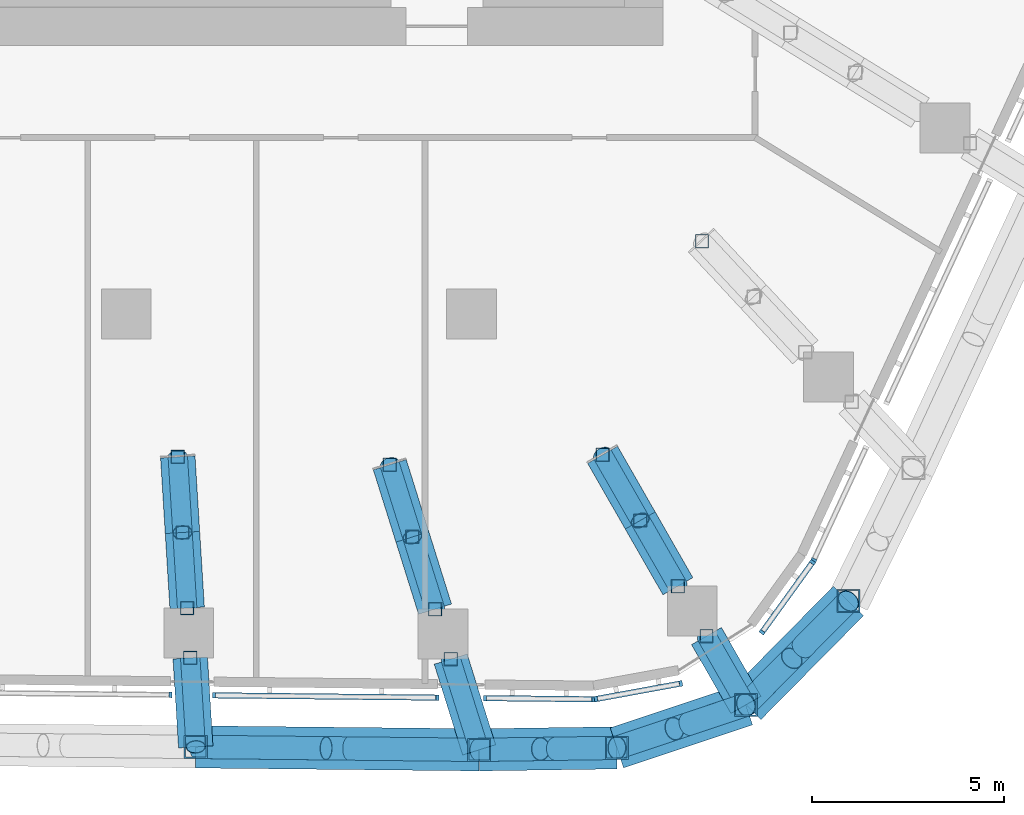
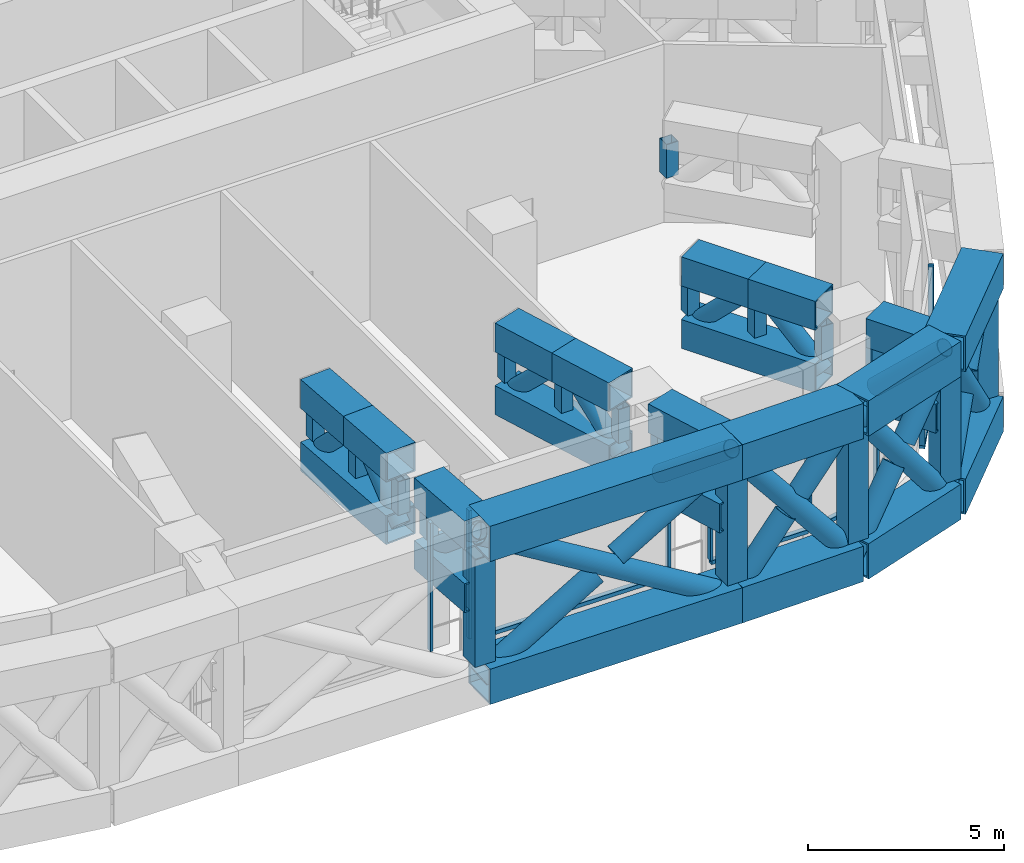
# One storey, part 6 of 30: 76 members, 3 elements without a shape of their own.
"""IFC4 building model written with IfcOpenShell, lengths in metres."""

from ifc_helpers import new_model, si_unit, direction, frame, origin, origin_2d, place, context, subcontext, project, spatial, rectangle, hollow_rectangle, hollow_circle, extrude, material, layer, layer_set, material_profile, profile_set, type_object, element, aggregate, save


model = new_model("IFC4")

# Units and contexts
model_context = context("Model", 3, precision=1e-05, world=origin(), true_north=direction((0.0, 1.0)))
body_context = subcontext(model_context, "Body", "Model", "MODEL_VIEW")
ifc_project = project(units=[si_unit("LENGTHUNIT", "METRE"), si_unit("AREAUNIT", "SQUARE_METRE"), si_unit("VOLUMEUNIT", "CUBIC_METRE"), si_unit("PLANEANGLEUNIT", "RADIAN"), si_unit("MASSUNIT", "GRAM", prefix="KILO")], contexts=[model_context])

# Site, building, storey
site_placement = place(None, origin())
site = spatial("IfcSite", under=ifc_project, at=site_placement, CompositionType="ELEMENT")
building_placement = place(site_placement, origin())
building = spatial("IfcBuilding", under=site, at=building_placement, Name="Dongbaek Canopy Tower", CompositionType="ELEMENT")
storey_placement = place(building_placement, frame((0.0, 0.0, 145.60009765625)))
storey = spatial("IfcBuildingStorey", under=building, at=storey_placement, Name="L32", CompositionType="ELEMENT", Elevation=145.60009765625)

# Members
ifc_material_1 = material(Name="Steel S355", Category="steel")
ifc_material_profile_1 = material_profile(ifc_material_1, hollow_circle(Radius=0.304931640625, WallThickness=0.01611328125, at=origin_2d()), Name="BELT BRACE CHS 610.0x16.0 Steel S355")
ifc_profile_set_1 = profile_set([ifc_material_profile_1], Name="Steel S355")
member_type_1 = type_object("IfcMemberType", Name="BELT BRACE CHS 610.0x16.0 Steel S355", PredefinedType="BRACE", material=ifc_profile_set_1)
member_1_placement = place(storey_placement, frame((18.83447265625, -25.485107421875, 0.5498046875), z_axis=(-0.456619787791, -0.462415619268, 0.760046159424), x_axis=(0.711551950405, -0.702633490431, 0.0)))
element("IfcMember", 1, at=member_1_placement, inside=storey, type_object=member_type_1, Name="BELT:L32:25:D1:0", PredefinedType="BRACE", context=body_context, shape_type="SweptSolid", body=[
    extrude(hollow_circle(Radius=0.304931640625, WallThickness=0.01611328125, at=origin_2d()), origin(), (0.0, 0.0, 1.0), 5.855224609375),
])
for number, where, z_axis, x_axis, name in (
    (2, (16.160888671875, -28.192626953125, 0.5498046875), (0.456614979706, 0.462394916158, 0.760061643434), (-0.711539921164, 0.702645672149, 0.0), "BELT:L32:25:D1:1"),
    (3, (18.83447265625, -25.485107421875, 5.0), (-0.456614979706, -0.462394916158, -0.760061643434), (0.711539921164, -0.702645672149, 0.0), "BELT:L32:25:D1:2"),
):
    element("IfcMember", number, at=place(storey_placement, frame(where, z_axis=z_axis, x_axis=x_axis)), inside=storey, type_object=member_type_1, Name=name, PredefinedType="BRACE", context=body_context, shape_type="SweptSolid", body=[
        extrude(hollow_circle(Radius=0.304931640625, WallThickness=0.01611328125, at=origin_2d()), origin(), (0.0, 0.0, 1.0), 2.618896484375),
    ])
member_2_placement = place(storey_placement, frame((16.160888671875, -28.192626953125, 0.5498046875), z_axis=(-0.591213564896, -0.197142694535, 0.782049409356), x_axis=(0.316331027809, -0.948648871209, 0.0)))
element("IfcMember", 4, at=member_2_placement, inside=storey, type_object=member_type_1, Name="BELT:L32:0:D0:0", PredefinedType="BRACE", context=body_context, shape_type="SweptSolid", body=[
    extrude(hollow_circle(Radius=0.304931640625, WallThickness=0.01611328125, at=origin_2d()), origin(), (0.0, 0.0, 1.0), 5.6904296875),
])
for number, where, z_axis, x_axis, name in (
    (5, (12.796630859375, -29.314453125, 0.5498046875), (0.591180694216, 0.197156640521, 0.782070742251), (-0.316366995029, 0.948636877027, 0.0), "BELT:L32:0:D0:1"),
    (6, (16.160888671875, -28.192626953125, 5.0), (-0.591180694216, -0.197156640521, -0.782070742251), (0.316366995029, -0.948636877027, 0.0), "BELT:L32:0:D0:2"),
):
    element("IfcMember", number, at=place(storey_placement, frame(where, z_axis=z_axis, x_axis=x_axis)), inside=storey, type_object=member_type_1, Name=name, PredefinedType="BRACE", context=body_context, shape_type="SweptSolid", body=[
        extrude(hollow_circle(Radius=0.304931640625, WallThickness=0.01611328125, at=origin_2d()), origin(), (0.0, 0.0, 1.0), 2.5322265625),
    ])
member_3_placement = place(storey_placement, frame((12.796630859375, -29.314453125, 0.5498046875), z_axis=(-0.628139988503, -0.00913440864, 0.778046732158), x_axis=(0.014540457756, -0.999894281956, 0.0)))
element("IfcMember", 7, at=member_3_placement, inside=storey, type_object=member_type_1, Name="BELT:L32:0:D1:0", PredefinedType="BRACE", context=body_context, shape_type="SweptSolid", body=[
    extrude(hollow_circle(Radius=0.304931640625, WallThickness=0.01611328125, at=origin_2d()), origin(), (0.0, 0.0, 1.0), 5.7197265625),
])
for number, where, z_axis, x_axis, name in (
    (8, (9.203857421875, -29.36669921875, 0.5498046875), (0.6281103156, 0.009103048052, 0.778071054565), (-0.014491231835, 0.999894996587, 0.0), "BELT:L32:0:D1:1"),
    (9, (12.796630859375, -29.314453125, 5.0), (-0.6281103156, -0.009103048052, -0.778071054565), (0.014491231835, -0.999894996587, 0.0), "BELT:L32:0:D1:2"),
):
    element("IfcMember", number, at=place(storey_placement, frame(where, z_axis=z_axis, x_axis=x_axis)), inside=storey, type_object=member_type_1, Name=name, PredefinedType="BRACE", context=body_context, shape_type="SweptSolid", body=[
        extrude(hollow_circle(Radius=0.304931640625, WallThickness=0.01611328125, at=origin_2d()), origin(), (0.0, 0.0, 1.0), 2.5478515625),
    ])
member_4_placement = place(storey_placement, frame((9.203857421875, -29.36669921875, 0.5498046875), z_axis=(-0.8566563275, 0.008913776076, 0.515810508957), x_axis=(-0.010404748415, -0.99994586914, 0.0)))
element("IfcMember", 10, at=member_4_placement, inside=storey, type_object=member_type_1, Name="BELT:L32:1:D0:0", PredefinedType="BRACE", context=body_context, shape_type="SweptSolid", body=[
    extrude(hollow_circle(Radius=0.304931640625, WallThickness=0.01611328125, at=origin_2d()), origin(), (0.0, 0.0, 1.0), 8.627685546875),
])
member_5_placement = place(storey_placement, frame((1.81298828125, -29.289794921875, 0.5498046875), z_axis=(0.856643522202, -0.00892016594, 0.515831664895), x_axis=(0.010412361906, 0.99994578989, 0.0)))
element("IfcMember", 11, at=member_5_placement, inside=storey, type_object=member_type_1, Name="BELT:L32:1:D0:1", PredefinedType="BRACE", context=body_context, shape_type="SweptSolid", body=[
    extrude(hollow_circle(Radius=0.304931640625, WallThickness=0.01611328125, at=origin_2d()), origin(), (0.0, 0.0, 1.0), 3.968505859375),
])
member_6_placement = place(storey_placement, frame((9.203857421875, -29.36669921875, 5.0), z_axis=(-0.856659894757, 0.008919695874, -0.515804482087), x_axis=(-0.010411614294, -0.999945797675, 0.0)))
element("IfcMember", 12, at=member_6_placement, inside=storey, type_object=member_type_1, Name="BELT:L32:1:D0:2", PredefinedType="BRACE", context=body_context, shape_type="SweptSolid", body=[
    extrude(hollow_circle(Radius=0.304931640625, WallThickness=0.01611328125, at=origin_2d()), origin(), (0.0, 0.0, 1.0), 3.96875),
])
ifc_material_2 = material(Name="Steel S355", Category="steel")
ifc_material_profile_2 = material_profile(ifc_material_2, hollow_rectangle(XDim=1.10009765625, YDim=1.10009765625, WallThickness=0.054931640625, at=origin_2d()), Name="BELT CHORD BOX 1100x1100x55 Steel S355")
ifc_profile_set_2 = profile_set([ifc_material_profile_2], Name="Steel S355")
member_type_2 = type_object("IfcMemberType", Name="BELT CHORD BOX 1100x1100x55 Steel S355", PredefinedType="CHORD", material=ifc_profile_set_2)
for number, where, z_axis, x_axis, name in (
    (13, (18.83447265625, -25.485107421875, 0.5498046875), (-0.702633490431, -0.711551950405, 0.0), (0.711551950405, -0.702633490431, 0.0), "BELT:L32:25:CB1"),
    (14, (18.83447265625, -25.485107421875, 5.0), (-0.702633490431, -0.711551950405, 0.0), (0.711551950405, -0.702633490431, 0.0), "BELT:L32:25:CT1"),
):
    element("IfcMember", number, at=place(storey_placement, frame(where, z_axis=z_axis, x_axis=x_axis)), inside=storey, type_object=member_type_2, Name=name, PredefinedType="CHORD", context=body_context, shape_type="SweptSolid", body=[
        extrude(hollow_rectangle(XDim=1.10009765625, YDim=1.10009765625, WallThickness=0.054931640625, at=origin_2d()), origin(), (0.0, 0.0, 1.0), 3.80517578125),
    ])
for number, where, z_axis, x_axis, name in (
    (15, (16.160888671875, -28.192626953125, 0.5498046875), (-0.948648871209, -0.316331027809, 0.0), (0.316331027809, -0.948648871209, 0.0), "BELT:L32:0:CB0"),
    (16, (16.160888671875, -28.192626953125, 5.0), (-0.948648871209, -0.316331027809, 0.0), (0.316331027809, -0.948648871209, 0.0), "BELT:L32:0:CT0"),
):
    element("IfcMember", number, at=place(storey_placement, frame(where, z_axis=z_axis, x_axis=x_axis)), inside=storey, type_object=member_type_2, Name=name, PredefinedType="CHORD", context=body_context, shape_type="SweptSolid", body=[
        extrude(hollow_rectangle(XDim=1.10009765625, YDim=1.10009765625, WallThickness=0.054931640625, at=origin_2d()), origin(), (0.0, 0.0, 1.0), 3.54638671875),
    ])
for number, where, z_axis, x_axis, name in (
    (17, (12.796630859375, -29.314453125, 0.5498046875), (-0.999894281956, -0.014540457756, 0.0), (0.014540457756, -0.999894281956, 0.0), "BELT:L32:0:CB1"),
    (18, (12.796630859375, -29.314453125, 5.0), (-0.999894281956, -0.014540457756, 0.0), (0.014540457756, -0.999894281956, 0.0), "BELT:L32:0:CT1"),
):
    element("IfcMember", number, at=place(storey_placement, frame(where, z_axis=z_axis, x_axis=x_axis)), inside=storey, type_object=member_type_2, Name=name, PredefinedType="CHORD", context=body_context, shape_type="SweptSolid", body=[
        extrude(hollow_rectangle(XDim=1.10009765625, YDim=1.10009765625, WallThickness=0.054931640625, at=origin_2d()), origin(), (0.0, 0.0, 1.0), 3.59326171875),
    ])
for number, where, z_axis, x_axis, name in (
    (19, (9.203857421875, -29.36669921875, 0.5498046875), (-0.99994586914, 0.010404748415, 0.0), (-0.010404748415, -0.99994586914, 0.0), "BELT:L32:1:CB0"),
    (20, (9.203857421875, -29.36669921875, 5.0), (-0.99994586914, 0.010404748415, 0.0), (-0.010404748415, -0.99994586914, 0.0), "BELT:L32:1:CT0"),
):
    element("IfcMember", number, at=place(storey_placement, frame(where, z_axis=z_axis, x_axis=x_axis)), inside=storey, type_object=member_type_2, Name=name, PredefinedType="CHORD", context=body_context, shape_type="SweptSolid", body=[
        extrude(hollow_rectangle(XDim=1.10009765625, YDim=1.10009765625, WallThickness=0.054931640625, at=origin_2d()), origin(), (0.0, 0.0, 1.0), 7.391357421875),
    ])
ifc_material_3 = material(Name="Steel S355", Category="steel")
ifc_material_profile_3 = material_profile(ifc_material_3, hollow_rectangle(XDim=0.60009765625, YDim=0.60009765625, WallThickness=0.031982421875, at=origin_2d()), Name="BELT POST BOX 600x600x32 Steel S355")
ifc_profile_set_3 = profile_set([ifc_material_profile_3], Name="Steel S355")
member_type_3 = type_object("IfcMemberType", Name="BELT POST BOX 600x600x32 Steel S355", PredefinedType="POST", material=ifc_profile_set_3)
for number, where, z_axis, x_axis, name in (
    (21, (18.83447265625, -25.485107421875, 1.099853515625), (0.0, 0.0, 1.0), (1.0, 0.0, 0.0), "BELT:L32:25:P1"),
    (22, (16.160888671875, -28.192626953125, 1.099853515625), (0.0, 0.0, 1.0), (1.0, 0.0, 0.0), "BELT:L32:0:P0"),
    (23, (12.796630859375, -29.314453125, 1.099853515625), (0.0, 0.0, 1.0), (1.0, 0.0, 0.0), "BELT:L32:0:P1"),
    (24, (9.203857421875, -29.36669921875, 1.099853515625), (0.0, 0.0, 1.0), (1.0, 0.0, 0.0), "BELT:L32:1:P0"),
    (25, (1.81298828125, -29.289794921875, 1.099853515625), (0.0, 0.0, 1.0), (1.0, 0.0, 0.0), "BELT:L32:2:P0"),
):
    element("IfcMember", number, at=place(storey_placement, frame(where, z_axis=z_axis, x_axis=x_axis)), inside=storey, type_object=member_type_3, Name=name, PredefinedType="POST", context=body_context, shape_type="SweptSolid", body=[
        extrude(hollow_rectangle(XDim=0.60009765625, YDim=0.60009765625, WallThickness=0.031982421875, at=origin_2d()), origin(), (0.0, 0.0, 1.0), 3.35009765625),
    ])
ifc_material_4 = material(Name="Steel S355", Category="steel")
ifc_material_profile_4 = material_profile(ifc_material_4, hollow_circle(Radius=0.25390625, WallThickness=0.01611328125, at=origin_2d()), Name="BRACE CHS 508.0x16.0 Steel S355")
ifc_profile_set_4 = profile_set([ifc_material_profile_4], Name="Steel S355")
member_type_4 = type_object("IfcMemberType", Name="BRACE CHS 508.0x16.0 Steel S355", PredefinedType="BRACE", material=ifc_profile_set_4)
member_7_placement = place(storey_placement, frame((12.423095703125, -21.672119140625, 3.14990234375), z_axis=(0.353891395838, -0.617352676111, 0.702592736406), x_axis=(0.867565276348, 0.497323326695, 0.0)))
element("IfcMember", 26, at=member_7_placement, inside=storey, type_object=member_type_4, Name="TRUSS:L32:0:D0", PredefinedType="BRACE", context=body_context, shape_type="SweptSolid", body=[
    extrude(hollow_circle(Radius=0.25390625, WallThickness=0.01611328125, at=origin_2d()), origin(), (0.0, 0.0, 1.0), 2.775390625),
])
member_8_placement = place(storey_placement, frame((13.4052734375, -23.385498046875, 5.099853515625), z_axis=(0.353872177366, -0.617407112336, -0.702554581312), x_axis=(0.867595846429, 0.497269994328, 0.0)))
element("IfcMember", 27, at=member_8_placement, inside=storey, type_object=member_type_4, Name="TRUSS:L32:0:D1", PredefinedType="BRACE", context=body_context, shape_type="SweptSolid", body=[
    extrude(hollow_circle(Radius=0.25390625, WallThickness=0.01611328125, at=origin_2d()), origin(), (0.0, 0.0, 1.0), 2.775634765625),
])
for number, where, z_axis, x_axis, name in (
    (28, (6.873046875, -21.9296875, 3.14990234375), (0.212781474917, -0.679071098123, 0.702557106309), (0.954250957259, 0.299006873784, 0.0), "TRUSS:L32:1:D0"),
    (29, (7.463623046875, -23.814453125, 5.099853515625), (0.212794185275, -0.679023694146, -0.702599073086), (0.954239904149, 0.29904214641, 0.0), "TRUSS:L32:1:D1"),
    (30, (1.3447265625, -21.7265625, 3.14990234375), (0.043983072878, -0.710238660828, 0.702585606147), (0.998088010153, 0.061808769517, 0.0), "TRUSS:L32:2:D0"),
    (31, (1.466796875, -23.69775390625, 5.099853515625), (0.043983072878, -0.710238660828, -0.702585606147), (0.998088010153, 0.061808769517, 0.0), "TRUSS:L32:2:D1"),
):
    element("IfcMember", number, at=place(storey_placement, frame(where, z_axis=z_axis, x_axis=x_axis)), inside=storey, type_object=member_type_4, Name=name, PredefinedType="BRACE", context=body_context, shape_type="SweptSolid", body=[
        extrude(hollow_circle(Radius=0.25390625, WallThickness=0.01611328125, at=origin_2d()), origin(), (0.0, 0.0, 1.0), 2.775390625),
    ])
member_9_placement = place(storey_placement, frame((15.132568359375, -26.39892578125, 3.14990234375), z_axis=(0.361826399821, -0.6311345108, 0.686112881143), x_axis=(0.867544694793, 0.497359228865, 0.0)))
element("IfcMember", 32, at=member_9_placement, inside=storey, type_object=member_type_4, Name="TRUSS:L32:0x:D0", PredefinedType="BRACE", context=body_context, shape_type="SweptSolid", body=[
    extrude(hollow_circle(Radius=0.25390625, WallThickness=0.01611328125, at=origin_2d()), origin(), (0.0, 0.0, 1.0), 2.842041015625),
])
member_10_placement = place(storey_placement, frame((8.461669921875, -26.9990234375, 3.14990234375), z_axis=(0.235182437493, -0.750262920661, 0.617895436927), x_axis=(0.954216992854, 0.299115246265, 0.0)))
element("IfcMember", 33, at=member_10_placement, inside=storey, type_object=member_type_4, Name="TRUSS:L32:1x:D0", PredefinedType="BRACE", context=body_context, shape_type="SweptSolid", body=[
    extrude(hollow_circle(Radius=0.25390625, WallThickness=0.01611328125, at=origin_2d()), origin(), (0.0, 0.0, 1.0), 3.15576171875),
])
member_11_placement = place(storey_placement, frame((1.669189453125, -26.968994140625, 3.14990234375), z_axis=(0.047385630043, -0.764767061435, 0.642562015536), x_axis=(0.998085935017, 0.061842269695, 0.0)))
element("IfcMember", 34, at=member_11_placement, inside=storey, type_object=member_type_4, Name="TRUSS:L32:2x:D0", PredefinedType="BRACE", context=body_context, shape_type="SweptSolid", body=[
    extrude(hollow_circle(Radius=0.25390625, WallThickness=0.01611328125, at=origin_2d()), origin(), (0.0, 0.0, 1.0), 3.03466796875),
])
ifc_material_5 = material(Name="Steel S355", Category="steel")
ifc_material_profile_5 = material_profile(ifc_material_5, hollow_rectangle(XDim=0.89990234375, YDim=0.89990234375, WallThickness=0.044921875, at=origin_2d()), Name="CHORD BOX 900x900x45 Steel S355")
ifc_profile_set_5 = profile_set([ifc_material_profile_5], Name="Steel S355")
member_type_5 = type_object("IfcMemberType", Name="CHORD BOX 900x900x45 Steel S355", PredefinedType="CHORD", material=ifc_profile_set_5)
member_12_placement = place(storey_placement, frame((12.423095703125, -21.672119140625, 3.14990234375), z_axis=(0.497296659316, -0.867580562618, 0.0), x_axis=(0.867580562618, 0.497296659316, 0.0)))
element("IfcMember", 35, at=member_12_placement, inside=storey, type_object=member_type_5, Name="TRUSS:L32:0:CB", PredefinedType="CHORD", context=body_context, shape_type="SweptSolid", body=[
    extrude(hollow_rectangle(XDim=0.89990234375, YDim=0.89990234375, WallThickness=0.044921875, at=origin_2d()), origin(), (0.0, 0.0, 1.0), 3.949951171875),
])
member_13_placement = place(storey_placement, frame((12.423095703125, -21.672119140625, 5.099853515625), z_axis=(0.497323326695, -0.867565276348, 0.0), x_axis=(0.867565276348, 0.497323326695, 0.0)))
element("IfcMember", 36, at=member_13_placement, inside=storey, type_object=member_type_5, Name="TRUSS:L32:0:CT0", PredefinedType="CHORD", context=body_context, shape_type="SweptSolid", body=[
    extrude(hollow_rectangle(XDim=0.89990234375, YDim=0.89990234375, WallThickness=0.044921875, at=origin_2d()), origin(), (0.0, 0.0, 1.0), 1.974853515625),
])
member_14_placement = place(storey_placement, frame((13.4052734375, -23.385498046875, 5.099853515625), z_axis=(0.497269994328, -0.867595846429, 0.0), x_axis=(0.867595846429, 0.497269994328, 0.0)))
element("IfcMember", 37, at=member_14_placement, inside=storey, type_object=member_type_5, Name="TRUSS:L32:0:CT1", PredefinedType="CHORD", context=body_context, shape_type="SweptSolid", body=[
    extrude(hollow_rectangle(XDim=0.89990234375, YDim=0.89990234375, WallThickness=0.044921875, at=origin_2d()), origin(), (0.0, 0.0, 1.0), 1.97509765625),
])
member_15_placement = place(storey_placement, frame((6.873046875, -21.9296875, 3.14990234375), z_axis=(0.299024509108, -0.954245431193, 0.0), x_axis=(0.954245431193, 0.299024509108, 0.0)))
element("IfcMember", 38, at=member_15_placement, inside=storey, type_object=member_type_5, Name="TRUSS:L32:1:CB", PredefinedType="CHORD", context=body_context, shape_type="SweptSolid", body=[
    extrude(hollow_rectangle(XDim=0.89990234375, YDim=0.89990234375, WallThickness=0.044921875, at=origin_2d()), origin(), (0.0, 0.0, 1.0), 3.949951171875),
])
member_16_placement = place(storey_placement, frame((6.873046875, -21.9296875, 5.099853515625), z_axis=(0.299006873784, -0.954250957259, 0.0), x_axis=(0.954250957259, 0.299006873784, 0.0)))
element("IfcMember", 39, at=member_16_placement, inside=storey, type_object=member_type_5, Name="TRUSS:L32:1:CT0", PredefinedType="CHORD", context=body_context, shape_type="SweptSolid", body=[
    extrude(hollow_rectangle(XDim=0.89990234375, YDim=0.89990234375, WallThickness=0.044921875, at=origin_2d()), origin(), (0.0, 0.0, 1.0), 1.97509765625),
])
member_17_placement = place(storey_placement, frame((7.463623046875, -23.814453125, 5.099853515625), z_axis=(0.29904214641, -0.954239904149, 0.0), x_axis=(0.954239904149, 0.29904214641, 0.0)))
element("IfcMember", 40, at=member_17_placement, inside=storey, type_object=member_type_5, Name="TRUSS:L32:1:CT1", PredefinedType="CHORD", context=body_context, shape_type="SweptSolid", body=[
    extrude(hollow_rectangle(XDim=0.89990234375, YDim=0.89990234375, WallThickness=0.044921875, at=origin_2d()), origin(), (0.0, 0.0, 1.0), 1.974853515625),
])
member_18_placement = place(storey_placement, frame((1.3447265625, -21.7265625, 3.14990234375), z_axis=(0.061808769517, -0.998088010153, 0.0), x_axis=(0.998088010153, 0.061808769517, 0.0)))
element("IfcMember", 41, at=member_18_placement, inside=storey, type_object=member_type_5, Name="TRUSS:L32:2:CB", PredefinedType="CHORD", context=body_context, shape_type="SweptSolid", body=[
    extrude(hollow_rectangle(XDim=0.89990234375, YDim=0.89990234375, WallThickness=0.044921875, at=origin_2d()), origin(), (0.0, 0.0, 1.0), 3.949951171875),
])
for number, where, z_axis, x_axis, name in (
    (42, (1.3447265625, -21.7265625, 5.099853515625), (0.061808769517, -0.998088010153, 0.0), (0.998088010153, 0.061808769517, 0.0), "TRUSS:L32:2:CT0"),
    (43, (1.466796875, -23.69775390625, 5.099853515625), (0.061808769517, -0.998088010153, 0.0), (0.998088010153, 0.061808769517, 0.0), "TRUSS:L32:2:CT1"),
):
    element("IfcMember", number, at=place(storey_placement, frame(where, z_axis=z_axis, x_axis=x_axis)), inside=storey, type_object=member_type_5, Name=name, PredefinedType="CHORD", context=body_context, shape_type="SweptSolid", body=[
        extrude(hollow_rectangle(XDim=0.89990234375, YDim=0.89990234375, WallThickness=0.044921875, at=origin_2d()), origin(), (0.0, 0.0, 1.0), 1.974853515625),
    ])
for number, where, z_axis, x_axis, name in (
    (44, (15.132568359375, -26.39892578125, 3.14990234375), (0.497359228865, -0.867544694793, 0.0), (0.867544694793, 0.497359228865, 0.0), "TRUSS:L32:0x:CB"),
    (45, (15.132568359375, -26.39892578125, 5.099853515625), (0.497359228865, -0.867544694793, 0.0), (0.867544694793, 0.497359228865, 0.0), "TRUSS:L32:0x:CT0"),
):
    element("IfcMember", number, at=place(storey_placement, frame(where, z_axis=z_axis, x_axis=x_axis)), inside=storey, type_object=member_type_5, Name=name, PredefinedType="CHORD", context=body_context, shape_type="SweptSolid", body=[
        extrude(hollow_rectangle(XDim=0.89990234375, YDim=0.89990234375, WallThickness=0.044921875, at=origin_2d()), origin(), (0.0, 0.0, 1.0), 2.067626953125),
    ])
for number, where, z_axis, x_axis, name in (
    (46, (8.461669921875, -26.9990234375, 3.14990234375), (0.299115246265, -0.954216992854, 0.0), (0.954216992854, 0.299115246265, 0.0), "TRUSS:L32:1x:CB"),
    (47, (8.461669921875, -26.9990234375, 5.099853515625), (0.299115246265, -0.954216992854, 0.0), (0.954216992854, 0.299115246265, 0.0), "TRUSS:L32:1x:CT0"),
):
    element("IfcMember", number, at=place(storey_placement, frame(where, z_axis=z_axis, x_axis=x_axis)), inside=storey, type_object=member_type_5, Name=name, PredefinedType="CHORD", context=body_context, shape_type="SweptSolid", body=[
        extrude(hollow_rectangle(XDim=0.89990234375, YDim=0.89990234375, WallThickness=0.044921875, at=origin_2d()), origin(), (0.0, 0.0, 1.0), 2.481201171875),
    ])
for number, where, z_axis, x_axis, name in (
    (48, (1.669189453125, -26.968994140625, 3.14990234375), (0.061842269695, -0.998085935017, 0.0), (0.998085935017, 0.061842269695, 0.0), "TRUSS:L32:2x:CB"),
    (49, (1.669189453125, -26.968994140625, 5.099853515625), (0.061842269695, -0.998085935017, 0.0), (0.998085935017, 0.061842269695, 0.0), "TRUSS:L32:2x:CT0"),
):
    element("IfcMember", number, at=place(storey_placement, frame(where, z_axis=z_axis, x_axis=x_axis)), inside=storey, type_object=member_type_5, Name=name, PredefinedType="CHORD", context=body_context, shape_type="SweptSolid", body=[
        extrude(hollow_rectangle(XDim=0.89990234375, YDim=0.89990234375, WallThickness=0.044921875, at=origin_2d()), origin(), (0.0, 0.0, 1.0), 2.3251953125),
    ])

# Curtain wall, members
ifc_material_6 = material(Name="Aluminium 6063-T6 pale anodised", Category="aluminium")
ifc_layer = layer(ifc_material_6, 0.14990234375)
ifc_layer_set = layer_set([ifc_layer], Name="CW-7 louvre curtain wall")
curtain_wall_type = type_object("IfcCurtainWallType", Name="CW-7 louvre curtain wall", PredefinedType="NOTDEFINED", material=ifc_layer_set)
curtain_wall_1_placement = place(storey_placement, origin())
curtain_wall_1 = element("IfcCurtainWall", 50, at=curtain_wall_1_placement, inside=storey, type_object=curtain_wall_type, Name="CW-7 louvre wall L32 F4", PredefinedType="NOTDEFINED")
ifc_material_7 = material(Name="Aluminium 6063-T6 pale anodised", Category="aluminium")
ifc_material_profile_6 = material_profile(ifc_material_7, rectangle(XDim=0.14990234375, YDim=0.080078125, at=origin_2d()), Name="CW-7 mullion 80 x 150")
ifc_profile_set_6 = profile_set([ifc_material_profile_6], Name="Aluminium 6063-T6 pale anodised")
member_type_6 = type_object("IfcMemberType", Name="CW-7 mullion 80 x 150", PredefinedType="MULLION", material=ifc_profile_set_6)
member_19_placement = place(storey_placement, frame((1.15380859375, -27.932861328125, 0.77490234375), z_axis=(0.0, 0.0, 1.0), x_axis=(-0.010400936107, -0.999945908801, 0.0)))
member_19 = element("IfcMember", 51, at=member_19_placement, type_object=member_type_6, Name="CW-7 mullion L32 F4.2.2", PredefinedType="MULLION", context=body_context, shape_type="SweptSolid", body=[
    extrude(rectangle(XDim=0.14990234375, YDim=0.080078125, at=origin_2d()), origin(), (0.0, 0.0, 1.0), 4.0),
])
member_20_placement = place(storey_placement, frame((2.28466796875, -27.94482421875, 0.77490234375), z_axis=(0.0, 0.0, 1.0), x_axis=(-0.010400936107, -0.999945908801, 0.0)))
member_20 = element("IfcMember", 52, at=member_20_placement, type_object=member_type_6, Name="CW-7 mullion L32 F4.3.1", PredefinedType="MULLION", context=body_context, shape_type="SweptSolid", body=[
    extrude(rectangle(XDim=0.14990234375, YDim=0.080078125, at=origin_2d()), origin(), (0.0, 0.0, 1.0), 4.0),
])
member_21_placement = place(storey_placement, frame((8.115966796875, -28.00537109375, 0.77490234375), z_axis=(0.0, 0.0, 1.0), x_axis=(-0.010400936107, -0.999945908801, 0.0)))
member_21 = element("IfcMember", 53, at=member_21_placement, type_object=member_type_6, Name="CW-7 mullion L32 F4.3.2", PredefinedType="MULLION", context=body_context, shape_type="SweptSolid", body=[
    extrude(rectangle(XDim=0.14990234375, YDim=0.080078125, at=origin_2d()), origin(), (0.0, 0.0, 1.0), 4.0),
])
member_22_placement = place(storey_placement, frame((9.353759765625, -28.018310546875, 0.77490234375), z_axis=(0.0, 0.0, 1.0), x_axis=(-0.010400936107, -0.999945908801, 0.0)))
member_22 = element("IfcMember", 54, at=member_22_placement, type_object=member_type_6, Name="CW-7 mullion L32 F4.4.1", PredefinedType="MULLION", context=body_context, shape_type="SweptSolid", body=[
    extrude(rectangle(XDim=0.14990234375, YDim=0.080078125, at=origin_2d()), origin(), (0.0, 0.0, 1.0), 4.0),
])
member_23_placement = place(storey_placement, frame((12.183349609375, -28.047607421875, 0.77490234375), z_axis=(0.0, 0.0, 1.0), x_axis=(-0.010400936107, -0.999945908801, 0.0)))
member_23 = element("IfcMember", 55, at=member_23_placement, type_object=member_type_6, Name="CW-7 mullion L32 F4.4.2", PredefinedType="MULLION", context=body_context, shape_type="SweptSolid", body=[
    extrude(rectangle(XDim=0.14990234375, YDim=0.080078125, at=origin_2d()), origin(), (0.0, 0.0, 1.0), 4.0),
])

curtain_wall_2_placement = place(storey_placement, origin())
curtain_wall_2 = element("IfcCurtainWall", 56, at=curtain_wall_2_placement, inside=storey, type_object=curtain_wall_type, Name="CW-7 louvre wall L32 K5", PredefinedType="NOTDEFINED")
member_24_placement = place(storey_placement, frame((12.249755859375, -28.0419921875, 0.77490234375), z_axis=(0.0, 0.0, 1.0), x_axis=(0.179845573712, -0.983694855947, 0.0)))
member_24 = element("IfcMember", 57, at=member_24_placement, type_object=member_type_6, Name="CW-7 mullion L32 K5.1.1", PredefinedType="MULLION", context=body_context, shape_type="SweptSolid", body=[
    extrude(rectangle(XDim=0.14990234375, YDim=0.080078125, at=origin_2d()), origin(), (0.0, 0.0, 1.0), 4.0),
])
member_25_placement = place(storey_placement, frame((14.46484375, -27.636962890625, 0.77490234375), z_axis=(0.0, 0.0, 1.0), x_axis=(0.179845573712, -0.983694855947, 0.0)))
member_25 = element("IfcMember", 58, at=member_25_placement, type_object=member_type_6, Name="CW-7 mullion L32 K5.1.2", PredefinedType="MULLION", context=body_context, shape_type="SweptSolid", body=[
    extrude(rectangle(XDim=0.14990234375, YDim=0.080078125, at=origin_2d()), origin(), (0.0, 0.0, 1.0), 4.0),
])
member_26_placement = place(storey_placement, frame((16.58154296875, -26.30029296875, 0.77490234375), z_axis=(0.0, 0.0, 1.0), x_axis=(0.810937071874, -0.585133374078, 0.0)))
member_26 = element("IfcMember", 59, at=member_26_placement, type_object=member_type_6, Name="CW-7 mullion L32 K5.2.1", PredefinedType="MULLION", context=body_context, shape_type="SweptSolid", body=[
    extrude(rectangle(XDim=0.14990234375, YDim=0.080078125, at=origin_2d()), origin(), (0.0, 0.0, 1.0), 4.0),
])
member_27_placement = place(storey_placement, frame((17.899169921875, -24.47412109375, 0.77490234375), z_axis=(0.0, 0.0, 1.0), x_axis=(0.810937071874, -0.585133374078, 0.0)))
member_27 = element("IfcMember", 60, at=member_27_placement, type_object=member_type_6, Name="CW-7 mullion L32 K5.2.2", PredefinedType="MULLION", context=body_context, shape_type="SweptSolid", body=[
    extrude(rectangle(XDim=0.14990234375, YDim=0.080078125, at=origin_2d()), origin(), (0.0, 0.0, 1.0), 4.0),
])

# Curtain wall, member
curtain_wall_3_placement = place(storey_placement, origin())
curtain_wall_3 = element("IfcCurtainWall", 61, at=curtain_wall_3_placement, inside=storey, type_object=curtain_wall_type, Name="CW-7 louvre wall L32 F5", PredefinedType="NOTDEFINED")
member_28_placement = place(storey_placement, frame((17.932861328125, -24.41650390625, 0.77490234375), z_axis=(0.0, 0.0, 1.0), x_axis=(0.907369226366, -0.420334494236, 0.0)))
member_28 = element("IfcMember", 62, at=member_28_placement, type_object=member_type_6, Name="CW-7 mullion L32 F5.1.1", PredefinedType="MULLION", context=body_context, shape_type="SweptSolid", body=[
    extrude(rectangle(XDim=0.14990234375, YDim=0.080078125, at=origin_2d()), origin(), (0.0, 0.0, 1.0), 4.0),
])
aggregate(curtain_wall_3, [member_28])

# Member
ifc_material_8 = material(Name="Aluminium 6063-T6 pale anodised", Category="aluminium")
ifc_material_profile_7 = material_profile(ifc_material_8, rectangle(XDim=0.14990234375, YDim=0.1201171875, at=origin_2d()), Name="CW-7 transom 120 x 150")
ifc_profile_set_7 = profile_set([ifc_material_profile_7], Name="Aluminium 6063-T6 pale anodised")
member_type_7 = type_object("IfcMemberType", Name="CW-7 transom 120 x 150", PredefinedType="USERDEFINED", material=ifc_profile_set_7)
member_29_placement = place(storey_placement, frame((2.28466796875, -27.94482421875, 0.71484375), z_axis=(0.999946100125, -0.010382525972, 0.0), x_axis=(0.010382525972, 0.999946100125, 0.0)))
member_29 = element("IfcMember", 63, at=member_29_placement, type_object=member_type_7, Name="CW-7 transom L32 F4.3", ObjectType="TRANSOM", PredefinedType="USERDEFINED", context=body_context, shape_type="SweptSolid", body=[
    extrude(rectangle(XDim=0.14990234375, YDim=0.1201171875, at=origin_2d()), origin(), (0.0, 0.0, 1.0), 5.83154296875),
])

member_30_placement = place(storey_placement, frame((9.353759765625, -28.018310546875, 0.71484375), z_axis=(0.999946404206, -0.010353198318, 0.0), x_axis=(0.010353198318, 0.999946404206, 0.0)))
member_30 = element("IfcMember", 64, at=member_30_placement, type_object=member_type_7, Name="CW-7 transom L32 F4.4", ObjectType="TRANSOM", PredefinedType="USERDEFINED", context=body_context, shape_type="SweptSolid", body=[
    extrude(rectangle(XDim=0.14990234375, YDim=0.1201171875, at=origin_2d()), origin(), (0.0, 0.0, 1.0), 2.829833984375),
])

aggregate(curtain_wall_1, [member_19, member_29, member_20, member_21, member_30, member_22, member_23])

member_31_placement = place(storey_placement, frame((12.249755859375, -28.0419921875, 0.71484375), z_axis=(0.98369074387, 0.179868063935, 0.0), x_axis=(-0.179868063935, 0.98369074387, 0.0)))
member_31 = element("IfcMember", 65, at=member_31_placement, type_object=member_type_7, Name="CW-7 transom L32 K5.1", ObjectType="TRANSOM", PredefinedType="USERDEFINED", context=body_context, shape_type="SweptSolid", body=[
    extrude(rectangle(XDim=0.14990234375, YDim=0.1201171875, at=origin_2d()), origin(), (0.0, 0.0, 1.0), 2.251708984375),
])

member_32_placement = place(storey_placement, frame((16.58154296875, -26.30029296875, 0.71484375), z_axis=(0.58511840493, 0.810947872685, 0.0), x_axis=(-0.810947872685, 0.58511840493, 0.0)))
member_32 = element("IfcMember", 66, at=member_32_placement, type_object=member_type_7, Name="CW-7 transom L32 K5.2", ObjectType="TRANSOM", PredefinedType="USERDEFINED", context=body_context, shape_type="SweptSolid", body=[
    extrude(rectangle(XDim=0.14990234375, YDim=0.1201171875, at=origin_2d()), origin(), (0.0, 0.0, 1.0), 2.251953125),
])

aggregate(curtain_wall_2, [member_31, member_24, member_25, member_32, member_26, member_27])

# Members
ifc_material_9 = material(Name="Steel S355", Category="steel")
ifc_material_profile_8 = material_profile(ifc_material_9, hollow_rectangle(XDim=0.35009765625, YDim=0.35009765625, WallThickness=0.01611328125, at=origin_2d()), Name="POST SHS 350x350x16 Steel S355")
ifc_profile_set_8 = profile_set([ifc_material_profile_8], Name="Steel S355")
member_type_8 = type_object("IfcMemberType", Name="POST SHS 350x350x16 Steel S355", PredefinedType="POST", material=ifc_profile_set_8)
for number, where, z_axis, x_axis, name in (
    (67, (12.423095703125, -21.672119140625, 3.599853515625), (0.0, 0.0, 1.0), (1.0, 0.0, 0.0), "TRUSS:L32:0:P0"),
    (68, (13.4052734375, -23.385498046875, 3.599853515625), (0.0, 0.0, 1.0), (1.0, 0.0, 0.0), "TRUSS:L32:0:P1"),
    (69, (14.387451171875, -25.09912109375, 3.599853515625), (0.0, 0.0, 1.0), (1.0, 0.0, 0.0), "TRUSS:L32:0:P2"),
    (70, (6.873046875, -21.9296875, 3.599853515625), (0.0, 0.0, 1.0), (1.0, 0.0, 0.0), "TRUSS:L32:1:P0"),
    (71, (7.463623046875, -23.814453125, 3.599853515625), (0.0, 0.0, 1.0), (1.0, 0.0, 0.0), "TRUSS:L32:1:P1"),
    (72, (8.05419921875, -25.698974609375, 3.599853515625), (0.0, 0.0, 1.0), (1.0, 0.0, 0.0), "TRUSS:L32:1:P2"),
    (73, (1.3447265625, -21.7265625, 3.599853515625), (0.0, 0.0, 1.0), (1.0, 0.0, 0.0), "TRUSS:L32:2:P0"),
    (74, (1.466796875, -23.69775390625, 3.599853515625), (0.0, 0.0, 1.0), (1.0, 0.0, 0.0), "TRUSS:L32:2:P1"),
    (75, (1.5888671875, -25.6689453125, 3.599853515625), (0.0, 0.0, 1.0), (1.0, 0.0, 0.0), "TRUSS:L32:2:P2"),
    (76, (15.01513671875, -16.10302734375, 3.599853515625), (0.0, 0.0, 1.0), (1.0, 0.0, 0.0), "TRUSS:L32:25:P0"),
    (77, (15.132568359375, -26.39892578125, 3.599853515625), (0.0, 0.0, 1.0), (1.0, 0.0, 0.0), "TRUSS:L32:0x:P0"),
    (78, (8.461669921875, -26.9990234375, 3.599853515625), (0.0, 0.0, 1.0), (1.0, 0.0, 0.0), "TRUSS:L32:1x:P0"),
    (79, (1.669189453125, -26.968994140625, 3.599853515625), (0.0, 0.0, 1.0), (1.0, 0.0, 0.0), "TRUSS:L32:2x:P0"),
):
    element("IfcMember", number, at=place(storey_placement, frame(where, z_axis=z_axis, x_axis=x_axis)), inside=storey, type_object=member_type_8, Name=name, PredefinedType="POST", context=body_context, shape_type="SweptSolid", body=[
        extrude(hollow_rectangle(XDim=0.35009765625, YDim=0.35009765625, WallThickness=0.01611328125, at=origin_2d()), origin(), (0.0, 0.0, 1.0), 1.050048828125),
    ])

save(model, "model.ifc")
